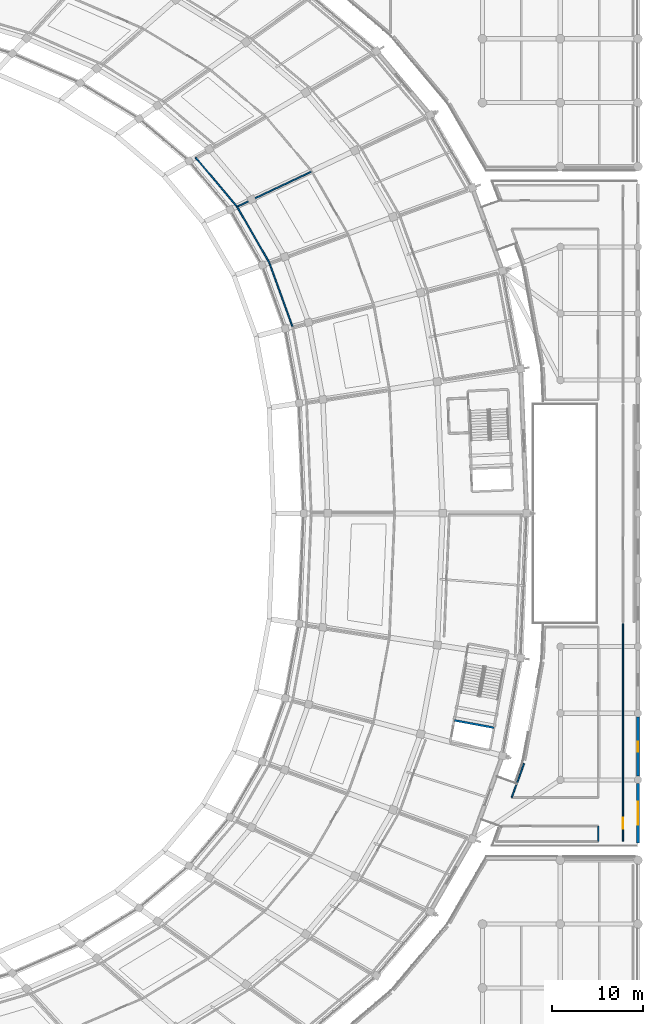
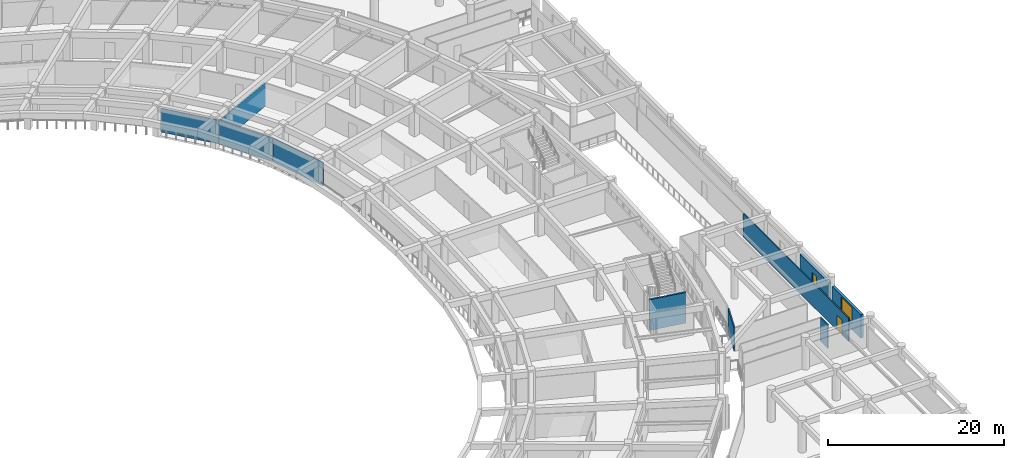
# One storey, part 103 of 145: 10 walls, 2 windows, 1 door, 3 openings.
"""IFC4 building model written with IfcOpenShell, lengths in metres."""

from ifc_helpers import new_model, si_unit, direction, frame, frame_2d, origin, place, context, subcontext, project, spatial, rectangle, extrude, material, layer, layer_set, type_object, element, fill, save


model = new_model("IFC4")

# Units and contexts
model_context = context("Model", 3, precision=1e-05, world=origin(), true_north=direction((0.0, 1.0)))
body_context = subcontext(model_context, "Body", "Model", "MODEL_VIEW")
ifc_project = project(units=[si_unit("LENGTHUNIT", "METRE"), si_unit("AREAUNIT", "SQUARE_METRE"), si_unit("VOLUMEUNIT", "CUBIC_METRE"), si_unit("PLANEANGLEUNIT", "RADIAN"), si_unit("MASSUNIT", "GRAM", prefix="KILO")], contexts=[model_context])

# Site, building, storey
site_placement = place(None, origin())
site = spatial("IfcSite", under=ifc_project, at=site_placement, CompositionType="ELEMENT")
building_placement = place(site_placement, origin())
building = spatial("IfcBuilding", under=site, at=building_placement, Name="Mphavela Belvedere Stadium", CompositionType="ELEMENT")
storey_placement = place(building_placement, frame((0.0, 0.0, 10.199951171875)))
storey = spatial("IfcBuildingStorey", under=building, at=storey_placement, Name="L02", CompositionType="ELEMENT", Elevation=10.199951171875)

# Wall
ifc_material_1 = material(Name="Concrete C40/50", Category="concrete")
ifc_layer_1 = layer(ifc_material_1, 0.219970703125)
ifc_layer_set_1 = layer_set([ifc_layer_1], Name="Concrete C40/50")
wall_type_1 = type_object("IfcWallType", Name="WAL-CORE-SHEAR-220", PredefinedType="SHEAR", material=ifc_layer_set_1)
wall_1_placement = place(storey_placement, frame((209.876708984375, 64.323486328125, 0.0), z_axis=(0.0, 0.0, 1.0), x_axis=(0.983201511677, -0.182523388739, 0.0)))
element("IfcWall", 1, at=wall_1_placement, inside=storey, type_object=wall_type_1, Name="Core C12 shear wall L02 div", PredefinedType="SHEAR", context=body_context, shape_type="SweptSolid", body=[
    extrude(rectangle(XDim=4.409912109375, YDim=0.219970703125, at=frame_2d((2.205078125, 0.0))), origin(), (0.0, 0.0, 1.0), 4.25),
])

# Wall, opening, window
ifc_material_2 = material(Name="Honed ashlar limestone masonry", Category="masonry")
ifc_layer_2 = layer(ifc_material_2, 0.35009765625)
ifc_layer_set_2 = layer_set([ifc_layer_2], Name="Honed ashlar limestone masonry")
wall_type_2 = type_object("IfcWallType", Name="WAL-EXT-ASHLAR-350", PredefinedType="STANDARD", material=ifc_layer_set_2)
wall_2_placement = place(storey_placement, frame((230.0, 57.402099609375, 0.0), z_axis=(0.0, 0.0, 1.0), x_axis=(0.0, -1.0, 0.0)))
wall_2 = element("IfcWall", 2, at=wall_2_placement, inside=storey, type_object=wall_type_2, Name="East Planted Eaves Peristyle Colonnade outer facade bay L02-01", PredefinedType="STANDARD", context=body_context, shape_type="SweptSolid", body=[
    extrude(rectangle(XDim=6.504150390625, YDim=0.35009765625, at=frame_2d((3.251953125, 0.0))), origin(), (0.0, 0.0, 1.0), 3.260009765625),
])
opening_1_placement = place(wall_2_placement, frame((1.991943359375, 0.0, 0.89990234375)))
opening_1 = element("IfcOpeningElement", 3, at=opening_1_placement, cuts=wall_2, Name="Opening W-308", PredefinedType="OPENING", context=body_context, shape_type="SweptSolid", body=[
    extrude(rectangle(XDim=2.52001953125, YDim=2.14990234375, at=frame_2d((1.260009765625, 1.074951171875))), frame((0.0, 0.18505859375, 0.0), z_axis=(0.0, -1.0, 0.0), x_axis=(1.0, 0.0, 0.0)), (0.0, 0.0, 1.0), 0.3701171875),
])
ifc_material_3 = material(Name="Bronze-anodised thermally broken aluminium window", Category="aluminium")
window_type_1 = type_object("IfcWindowType", Name="WIN-EXT-44", PartitioningType="SINGLE_PANEL", PredefinedType="WINDOW", material=ifc_material_3)
window_1_placement = place(opening_1_placement, origin())
window_1 = element("IfcWindow", 4, at=window_1_placement, inside=storey, type_object=window_type_1, Name="East Planted Eaves Peristyle Colonnade classical window W-308", OverallHeight=2.14990234375, OverallWidth=2.52001953125, PartitioningType="SINGLE_PANEL", PredefinedType="WINDOW", context=body_context, shape_type="SweptSolid", body=[
    extrude(rectangle(XDim=2.52001953125, YDim=2.14990234375, at=frame_2d((1.260009765625, 1.074951171875))), frame((0.0, 0.030029296875, 0.0), z_axis=(0.0, -1.0, 0.0), x_axis=(1.0, 0.0, 0.0)), (0.0, 0.0, 1.0), 0.06005859375),
])
fill(opening_1, window_1)

wall_3_placement = place(storey_placement, frame((230.0, 64.701904296875, 0.0), z_axis=(0.0, 0.0, 1.0), x_axis=(0.0, -1.0, 0.0)))
wall_3 = element("IfcWall", 5, at=wall_3_placement, inside=storey, type_object=wall_type_2, Name="East Planted Eaves Peristyle Colonnade outer facade bay L02-02", PredefinedType="STANDARD", context=body_context, shape_type="SweptSolid", body=[
    extrude(rectangle(XDim=6.50390625, YDim=0.35009765625, at=frame_2d((3.251953125, 0.0))), origin(), (0.0, 0.0, 1.0), 3.260009765625),
])
opening_2_placement = place(wall_3_placement, frame((2.701904296875, 0.0, 0.89990234375)))
opening_2 = element("IfcOpeningElement", 6, at=opening_2_placement, cuts=wall_3, Name="Opening W-309", PredefinedType="OPENING", context=body_context, shape_type="SweptSolid", body=[
    extrude(rectangle(XDim=1.10009765625, YDim=1.550048828125, at=frame_2d((0.550048828125, 0.77490234375))), frame((0.0, 0.18505859375, 0.0), z_axis=(0.0, -1.0, 0.0), x_axis=(1.0, 0.0, 0.0)), (0.0, 0.0, 1.0), 0.3701171875),
])
ifc_material_4 = material(Name="Bronze-anodised thermally broken aluminium window", Category="aluminium")
window_type_2 = type_object("IfcWindowType", Name="WIN-EXT-01", PartitioningType="SINGLE_PANEL", PredefinedType="WINDOW", material=ifc_material_4)
window_2_placement = place(opening_2_placement, origin())
window_2 = element("IfcWindow", 7, at=window_2_placement, inside=storey, type_object=window_type_2, Name="East Planted Eaves Peristyle Colonnade classical window W-309", OverallHeight=1.550048828125, OverallWidth=1.10009765625, PartitioningType="SINGLE_PANEL", PredefinedType="WINDOW", context=body_context, shape_type="SweptSolid", body=[
    extrude(rectangle(XDim=1.10009765625, YDim=1.550048828125, at=frame_2d((0.550048828125, 0.77490234375))), frame((0.0, 0.030029296875, 0.0), z_axis=(0.0, -1.0, 0.0), x_axis=(1.0, 0.0, 0.0)), (0.0, 0.0, 1.0), 0.06005859375),
])
fill(opening_2, window_2)

# Wall, opening, door
ifc_material_5 = material(Name="Acoustic gypsum stud partition assembly")
ifc_layer_3 = layer(ifc_material_5, 0.14990234375)
ifc_layer_set_3 = layer_set([ifc_layer_3], Name="Acoustic gypsum stud partition assembly")
wall_type_3 = type_object("IfcWallType", Name="WAL-PART-150", PredefinedType="PARTITIONING", material=ifc_layer_set_3)
wall_4_placement = place(storey_placement, frame((228.360107421875, 51.050048828125, 0.0), z_axis=(0.0, 0.0, 1.0), x_axis=(0.0, 1.0, 0.0)))
wall_4 = element("IfcWall", 8, at=wall_4_placement, inside=storey, type_object=wall_type_3, Name="Room L02-198 corridor partition", PredefinedType="PARTITIONING", context=body_context, shape_type="SweptSolid", body=[
    extrude(rectangle(XDim=23.833251953125, YDim=0.14990234375, at=frame_2d((11.91650390625, 0.0))), origin(), (0.0, 0.0, 1.0), 3.25),
])
opening_3_placement = place(wall_4_placement, frame((1.420654296875, 0.0, 0.0)))
opening_3 = element("IfcOpeningElement", 9, at=opening_3_placement, cuts=wall_4, Name="Opening ID-548", PredefinedType="OPENING", context=body_context, shape_type="SweptSolid", body=[
    extrude(rectangle(XDim=1.179931640625, YDim=2.10009765625, at=frame_2d((0.58984375, 1.050048828125))), frame((0.0, 0.0849609375, 0.0), z_axis=(0.0, -1.0, 0.0), x_axis=(1.0, 0.0, 0.0)), (0.0, 0.0, 1.0), 0.169921875),
])
ifc_material_6 = material(Name="Hardwood acoustic timber doorset", Category="wood")
door_type = type_object("IfcDoorType", Name="DR-INT-08", OperationType="NOTDEFINED", PredefinedType="DOOR", material=ifc_material_6)
door_placement = place(opening_3_placement, origin())
door = element("IfcDoor", 10, at=door_placement, inside=storey, type_object=door_type, Name="Room L02-198 entrance door ID-548", OperationType="SINGLE_SWING_RIGHT", OverallHeight=2.10009765625, OverallWidth=1.179931640625, PredefinedType="DOOR", context=body_context, shape_type="SweptSolid", body=[
    extrude(rectangle(XDim=1.179931640625, YDim=2.10009765625, at=frame_2d((0.58984375, 1.050048828125))), frame((0.0, 0.02490234375, 0.0), z_axis=(0.0, -1.0, 0.0), x_axis=(1.0, 0.0, 0.0)), (0.0, 0.0, 1.0), 0.050048828125),
])
fill(opening_3, door)

# Walls
wall_5_placement = place(storey_placement, frame((192.133056640625, 107.49609375, 0.0), z_axis=(0.0, 0.0, 1.0), x_axis=(-0.34104817416, 0.940045819576, 0.0)))
element("IfcWall", 11, at=wall_5_placement, inside=storey, type_object=wall_type_3, Name="Room divider partition L02-0294", PredefinedType="PARTITIONING", context=body_context, shape_type="SweptSolid", body=[
    extrude(rectangle(XDim=7.391845703125, YDim=0.14990234375, at=frame_2d((3.69580078125, 0.0))), origin(), (0.0, 0.0, 1.0), 3.25),
])
wall_6_placement = place(storey_placement, frame((189.57861328125, 114.517822265625, 0.0), z_axis=(0.0, 0.0, 1.0), x_axis=(-0.500549390525, 0.865707980583, 0.0)))
element("IfcWall", 12, at=wall_6_placement, inside=storey, type_object=wall_type_3, Name="Room divider partition L02-0297", PredefinedType="PARTITIONING", context=body_context, shape_type="SweptSolid", body=[
    extrude(rectangle(XDim=7.01806640625, YDim=0.14990234375, at=frame_2d((3.509033203125, 0.0))), origin(), (0.0, 0.0, 1.0), 3.25),
])
wall_7_placement = place(storey_placement, frame((186.065673828125, 120.593505859375, 0.0), z_axis=(0.0, 0.0, 1.0), x_axis=(0.903860081227, 0.427828182292, 0.0)))
element("IfcWall", 13, at=wall_7_placement, inside=storey, type_object=wall_type_3, Name="Room divider partition L02-0298", PredefinedType="PARTITIONING", context=body_context, shape_type="SweptSolid", body=[
    extrude(rectangle(XDim=9.06591796875, YDim=0.14990234375, at=frame_2d((4.532958984375, 0.0))), origin(), (0.0, 0.0, 1.0), 3.25),
])
wall_8_placement = place(storey_placement, frame((186.02001953125, 120.660400390625, 0.0), z_axis=(0.0, 0.0, 1.0), x_axis=(-0.64516899819, 0.764039896716, 0.0)))
element("IfcWall", 14, at=wall_8_placement, inside=storey, type_object=wall_type_3, Name="Room divider partition L02-0301", PredefinedType="PARTITIONING", context=body_context, shape_type="SweptSolid", body=[
    extrude(rectangle(XDim=6.966552734375, YDim=0.14990234375, at=frame_2d((3.4833984375, 0.0))), origin(), (0.0, 0.0, 1.0), 3.25),
])
wall_9_placement = place(storey_placement, frame((225.639892578125, 52.739990234375, 0.0), z_axis=(0.0, 0.0, 1.0), x_axis=(0.0, -1.0, 0.0)))
element("IfcWall", 15, at=wall_9_placement, inside=storey, type_object=wall_type_3, Name="Room divider partition L02-1253", PredefinedType="PARTITIONING", context=body_context, shape_type="SweptSolid", body=[
    extrude(rectangle(XDim=1.68994140625, YDim=0.14990234375, at=frame_2d((0.844970703125, 0.0))), origin(), (0.0, 0.0, 1.0), 3.25),
])
wall_10_placement = place(storey_placement, frame((216.163330078125, 55.860107421875, 0.0), z_axis=(0.0, 0.0, 1.0), x_axis=(0.341035525383, 0.94005040845, 0.0)))
element("IfcWall", 16, at=wall_10_placement, inside=storey, type_object=wall_type_3, Name="Room divider partition L02-1259", PredefinedType="PARTITIONING", context=body_context, shape_type="SweptSolid", body=[
    extrude(rectangle(XDim=3.96240234375, YDim=0.14990234375, at=frame_2d((1.981201171875, 0.0))), origin(), (0.0, 0.0, 1.0), 3.25),
])

save(model, "model.ifc")
